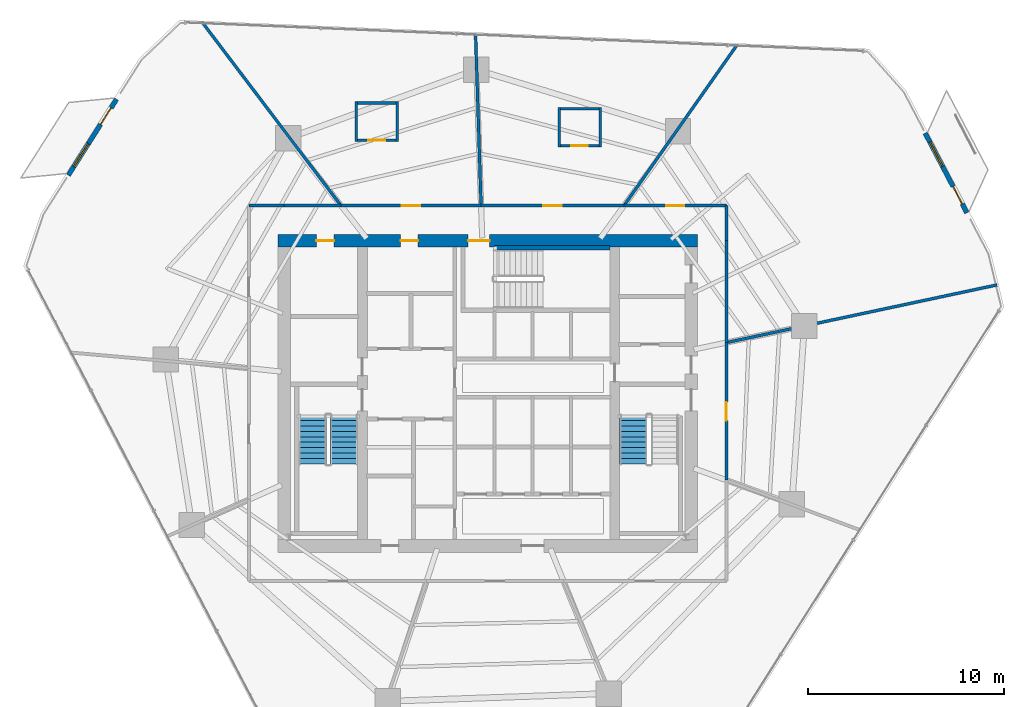
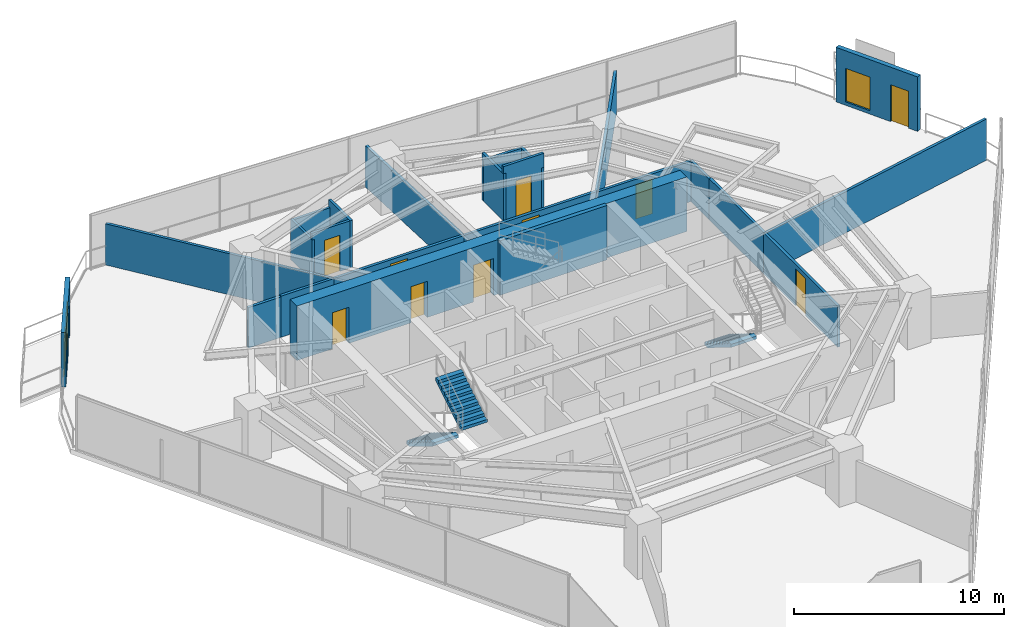
# One storey, part 25 of 30: 24 walls, 11 doors, 3 stair flights, 2 windows, 13 openings, 2 elements without a shape of their own.
"""IFC4 building model written with IfcOpenShell, lengths in metres."""

from ifc_helpers import new_model, si_unit, direction, frame, frame_2d, origin, place, context, subcontext, project, spatial, polyline, rectangle, outline, extrude, material, layer, layer_set, type_object, element, fill, aggregate, save


model = new_model("IFC4")

# Units and contexts
model_context = context("Model", 3, precision=1e-05, world=origin(), true_north=direction((0.0, 1.0)))
body_context = subcontext(model_context, "Body", "Model", "MODEL_VIEW")
ifc_project = project(units=[si_unit("LENGTHUNIT", "METRE"), si_unit("AREAUNIT", "SQUARE_METRE"), si_unit("VOLUMEUNIT", "CUBIC_METRE"), si_unit("PLANEANGLEUNIT", "RADIAN"), si_unit("MASSUNIT", "GRAM", prefix="KILO")], contexts=[model_context])

# Site, building, storey
site_placement = place(None, origin())
site = spatial("IfcSite", under=ifc_project, at=site_placement, CompositionType="ELEMENT")
building_placement = place(site_placement, origin())
building = spatial("IfcBuilding", under=site, at=building_placement, Name="Qarnah Convention Tower", CompositionType="ELEMENT")
storey_placement = place(building_placement, frame((0.0, 0.0, 58.050048828125)))
storey = spatial("IfcBuildingStorey", under=building, at=storey_placement, Name="L14", CompositionType="ELEMENT", Elevation=58.050048828125)

# Wall, openings, doors
ifc_material_1 = material(Name="Concrete C60/75", Category="concrete")
ifc_layer_1 = layer(ifc_material_1, 0.64990234375)
ifc_layer_set_1 = layer_set([ifc_layer_1], Name="Concrete C60/75")
wall_type_1 = type_object("IfcWallType", Name="WL-CORE-650", PredefinedType="SHEAR", material=ifc_layer_set_1)
wall_1_placement = place(storey_placement, frame((26.47509765625, 34.199951171875, 0.0), z_axis=(0.0, 0.0, 1.0), x_axis=(1.0, 0.0, 0.0)))
wall_1 = element("IfcWall", 1, at=wall_1_placement, inside=storey, type_object=wall_type_1, Name="L14 core north shear wall", PredefinedType="SHEAR", context=body_context, shape_type="SweptSolid", body=[
    extrude(rectangle(XDim=21.449951171875, YDim=0.64990234375, at=frame_2d((10.72509765625, 0.0))), origin(), (0.0, 0.0, 1.0), 3.169921875),
])
opening_1_placement = place(wall_1_placement, frame((9.72509765625, 0.0, 0.0)))
opening_1 = element("IfcOpeningElement", 2, at=opening_1_placement, cuts=wall_1, Name="Opening D-1403", PredefinedType="OPENING", context=body_context, shape_type="SweptSolid", body=[
    extrude(rectangle(XDim=1.10009765625, YDim=2.14990234375, at=frame_2d((0.550048828125, 1.074951171875))), frame((0.0, 0.3349609375, 0.0), z_axis=(0.0, -1.0, 0.0), x_axis=(1.0, 0.0, 0.0)), (0.0, 0.0, 1.0), 0.669921875),
])
opening_2_placement = place(wall_1_placement, frame((1.97509765625, 0.0, 0.0)))
opening_2 = element("IfcOpeningElement", 3, at=opening_2_placement, cuts=wall_1, Name="Opening D-1409", PredefinedType="OPENING", context=body_context, shape_type="SweptSolid", body=[
    extrude(rectangle(XDim=0.89990234375, YDim=2.10009765625, at=frame_2d((0.449951171875, 1.050048828125))), frame((0.0, 0.3349609375, 0.0), z_axis=(0.0, -1.0, 0.0), x_axis=(1.0, 0.0, 0.0)), (0.0, 0.0, 1.0), 0.669921875),
])
opening_3_placement = place(wall_1_placement, frame((6.27490234375, 0.0, 0.0)))
opening_3 = element("IfcOpeningElement", 4, at=opening_3_placement, cuts=wall_1, Name="Opening D-1410", PredefinedType="OPENING", context=body_context, shape_type="SweptSolid", body=[
    extrude(rectangle(XDim=0.89990234375, YDim=2.10009765625, at=frame_2d((0.449951171875, 1.050048828125))), frame((0.0, 0.3349609375, 0.0), z_axis=(0.0, -1.0, 0.0), x_axis=(1.0, 0.0, 0.0)), (0.0, 0.0, 1.0), 0.669921875),
])
ifc_material_2 = material(Name="Structural steel S355JR", Category="steel")
door_type_1 = type_object("IfcDoorType", Name="DT-RISER-900", OperationType="NOTDEFINED", PredefinedType="DOOR", material=ifc_material_2)
door_1_placement = place(opening_2_placement, origin())
door_1 = element("IfcDoor", 5, at=door_1_placement, inside=storey, type_object=door_type_1, Name="Door D-1409", OperationType="SINGLE_SWING_LEFT", OverallHeight=2.10009765625, OverallWidth=0.89990234375, PredefinedType="DOOR", context=body_context, shape_type="SweptSolid", body=[
    extrude(rectangle(XDim=0.89990234375, YDim=2.10009765625, at=frame_2d((0.449951171875, 1.050048828125))), frame((0.0, 0.02490234375, 0.0), z_axis=(0.0, -1.0, 0.0), x_axis=(1.0, 0.0, 0.0)), (0.0, 0.0, 1.0), 0.050048828125),
])
fill(opening_2, door_1)
door_2_placement = place(opening_3_placement, origin())
door_2 = element("IfcDoor", 6, at=door_2_placement, inside=storey, type_object=door_type_1, Name="Door D-1410", OperationType="SINGLE_SWING_RIGHT", OverallHeight=2.10009765625, OverallWidth=0.89990234375, PredefinedType="DOOR", context=body_context, shape_type="SweptSolid", body=[
    extrude(rectangle(XDim=0.89990234375, YDim=2.10009765625, at=frame_2d((0.449951171875, 1.050048828125))), frame((0.0, 0.02490234375, 0.0), z_axis=(0.0, -1.0, 0.0), x_axis=(1.0, 0.0, 0.0)), (0.0, 0.0, 1.0), 0.050048828125),
])
fill(opening_3, door_2)
door_type_2 = type_object("IfcDoorType", Name="DT-STAIR-1100", OperationType="NOTDEFINED", PredefinedType="DOOR", material=ifc_material_2)
door_3_placement = place(opening_1_placement, origin())
door_3 = element("IfcDoor", 7, at=door_3_placement, inside=storey, type_object=door_type_2, Name="Door D-1403", OperationType="SINGLE_SWING_LEFT", OverallHeight=2.14990234375, OverallWidth=1.10009765625, PredefinedType="DOOR", context=body_context, shape_type="SweptSolid", body=[
    extrude(rectangle(XDim=1.10009765625, YDim=2.14990234375, at=frame_2d((0.550048828125, 1.074951171875))), frame((0.0, 0.02490234375, 0.0), z_axis=(0.0, -1.0, 0.0), x_axis=(1.0, 0.0, 0.0)), (0.0, 0.0, 1.0), 0.050048828125),
])
fill(opening_1, door_3)

# Wall
ifc_layer_2 = layer(ifc_material_1, 0.219970703125)
ifc_layer_set_2 = layer_set([ifc_layer_2], Name="Concrete C60/75")
wall_type_2 = type_object("IfcWallType", Name="WL-CORE-STAIR-220", PredefinedType="SHEAR", material=ifc_layer_set_2)
wall_2_placement = place(storey_placement, frame((37.550048828125, 33.840087890625, 0.0), z_axis=(0.0, 0.0, 1.0), x_axis=(1.0, 0.0, 0.0)))
element("IfcWall", 8, at=wall_2_placement, inside=storey, type_object=wall_type_2, Name="L14 stair shaft shear wall SW-L14-ST3N", PredefinedType="SHEAR", context=body_context, shape_type="SweptSolid", body=[
    extrude(rectangle(XDim=5.89990234375, YDim=0.219970703125, at=frame_2d((2.949951171875, 0.0))), origin(), (0.0, 0.0, 1.0), 3.169921875),
])

# Wall, openings, door, window
ifc_material_3 = material(Name="Precast concrete C45/55", Category="concrete")
ifc_layer_3 = layer(ifc_material_3, 0.239990234375)
ifc_layer_set_3 = layer_set([ifc_layer_3], Name="Precast concrete C45/55")
wall_type_3 = type_object("IfcWallType", Name="WL-EXT-BAL-240", PredefinedType="SOLIDWALL", material=ifc_layer_set_3)
wall_3_placement = place(storey_placement, frame((59.56396484375, 39.700927734375, 0.0), z_axis=(0.0, 0.0, 1.0), x_axis=(0.463419963279, -0.886138780121, 0.0)))
wall_3 = element("IfcWall", 9, at=wall_3_placement, inside=storey, type_object=wall_type_3, Name="L14 loggia threshold wall BAL-L14-C1", PredefinedType="SOLIDWALL", context=body_context, shape_type="SweptSolid", body=[
    extrude(rectangle(XDim=4.600830078125, YDim=0.239990234375, at=frame_2d((2.30029296875, 0.0))), origin(), (0.0, 0.0, 1.0), 3.169921875),
])
opening_4_placement = place(wall_3_placement, frame((3.0810546875, 0.0, 0.0)))
opening_4 = element("IfcOpeningElement", 10, at=opening_4_placement, cuts=wall_3, Name="Opening BD-1401", PredefinedType="OPENING", context=body_context, shape_type="SweptSolid", body=[
    extrude(rectangle(XDim=1.0, YDim=2.14990234375, at=frame_2d((0.5, 1.074951171875))), frame((0.0, 0.1298828125, 0.0), z_axis=(0.0, -1.0, 0.0), x_axis=(1.0, 0.0, 0.0)), (0.0, 0.0, 1.0), 0.260009765625),
])
opening_5_placement = place(wall_3_placement, frame((0.52001953125, 0.0, 0.199951171875)))
opening_5 = element("IfcOpeningElement", 11, at=opening_5_placement, cuts=wall_3, Name="Opening WN4", PredefinedType="OPENING", context=body_context, shape_type="SweptSolid", body=[
    extrude(rectangle(XDim=1.39990234375, YDim=1.949951171875, at=frame_2d((0.699951171875, 0.97509765625))), frame((0.0, 0.1298828125, 0.0), z_axis=(0.0, -1.0, 0.0), x_axis=(1.0, 0.0, 0.0)), (0.0, 0.0, 1.0), 0.260009765625),
])
ifc_material_4 = material(Name="Black anodised aluminium", Category="aluminium")
door_type_3 = type_object("IfcDoorType", Name="DT-BAL-1000", OperationType="NOTDEFINED", PredefinedType="DOOR", material=ifc_material_4)
door_4_placement = place(opening_4_placement, origin())
door_4 = element("IfcDoor", 12, at=door_4_placement, inside=storey, type_object=door_type_3, Name="L14 balcony terrace door BAL-L14-C1", OperationType="SINGLE_SWING_RIGHT", OverallHeight=2.14990234375, OverallWidth=1.0, PredefinedType="DOOR", context=body_context, shape_type="SweptSolid", body=[
    extrude(rectangle(XDim=1.0, YDim=2.14990234375, at=frame_2d((0.5, 1.074951171875))), frame((0.0, 0.02490234375, 0.0), z_axis=(0.0, -1.0, 0.0), x_axis=(1.0, 0.0, 0.0)), (0.0, 0.0, 1.0), 0.050048828125),
])
fill(opening_4, door_4)
ifc_material_5 = material(Name="Tempered Low-E dark glass", Category="glass")
window_type = type_object("IfcWindowType", Name="WT-BAL-1400X2000", PartitioningType="SINGLE_PANEL", PredefinedType="WINDOW", material=ifc_material_5)
window_1_placement = place(opening_5_placement, origin())
window_1 = element("IfcWindow", 13, at=window_1_placement, inside=storey, type_object=window_type, Name="Window BW-BAL-L14-C1", OverallHeight=1.949951171875, OverallWidth=1.39990234375, PartitioningType="SINGLE_PANEL", PredefinedType="WINDOW", context=body_context, shape_type="SweptSolid", body=[
    extrude(rectangle(XDim=1.39990234375, YDim=1.949951171875, at=frame_2d((0.699951171875, 0.97509765625))), frame((0.0, 0.030029296875, 0.0), z_axis=(0.0, -1.0, 0.0), x_axis=(1.0, 0.0, 0.0)), (0.0, 0.0, 1.0), 0.06005859375),
])
fill(opening_5, window_1)

wall_4_placement = place(storey_placement, frame((15.76708984375, 37.549072265625, 0.0), z_axis=(0.0, 0.0, 1.0), x_axis=(0.535820801743, 0.844331728895, 0.0)))
wall_4 = element("IfcWall", 14, at=wall_4_placement, inside=storey, type_object=wall_type_3, Name="L14 loggia threshold wall BAL-L14-C2", PredefinedType="SOLIDWALL", context=body_context, shape_type="SweptSolid", body=[
    extrude(rectangle(XDim=4.60009765625, YDim=0.239990234375, at=frame_2d((2.300048828125, 0.0))), origin(), (0.0, 0.0, 1.0), 3.169921875),
])
opening_6_placement = place(wall_4_placement, frame((3.080078125, 0.0, 0.0)))
opening_6 = element("IfcOpeningElement", 15, at=opening_6_placement, cuts=wall_4, Name="Opening BD-1402", PredefinedType="OPENING", context=body_context, shape_type="SweptSolid", body=[
    extrude(rectangle(XDim=1.0, YDim=2.14990234375, at=frame_2d((0.5, 1.074951171875))), frame((0.0, 0.1298828125, 0.0), z_axis=(0.0, -1.0, 0.0), x_axis=(1.0, 0.0, 0.0)), (0.0, 0.0, 1.0), 0.260009765625),
])
opening_7_placement = place(wall_4_placement, frame((0.52001953125, 0.0, 0.199951171875)))
opening_7 = element("IfcOpeningElement", 16, at=opening_7_placement, cuts=wall_4, Name="Opening WN4", PredefinedType="OPENING", context=body_context, shape_type="SweptSolid", body=[
    extrude(rectangle(XDim=1.39990234375, YDim=1.949951171875, at=frame_2d((0.699951171875, 0.97509765625))), frame((0.0, 0.1298828125, 0.0), z_axis=(0.0, -1.0, 0.0), x_axis=(1.0, 0.0, 0.0)), (0.0, 0.0, 1.0), 0.260009765625),
])
door_5_placement = place(opening_6_placement, origin())
door_5 = element("IfcDoor", 17, at=door_5_placement, inside=storey, type_object=door_type_3, Name="L14 balcony terrace door BAL-L14-C2", OperationType="SINGLE_SWING_LEFT", OverallHeight=2.14990234375, OverallWidth=1.0, PredefinedType="DOOR", context=body_context, shape_type="SweptSolid", body=[
    extrude(rectangle(XDim=1.0, YDim=2.14990234375, at=frame_2d((0.5, 1.074951171875))), frame((0.0, 0.02490234375, 0.0), z_axis=(0.0, -1.0, 0.0), x_axis=(1.0, 0.0, 0.0)), (0.0, 0.0, 1.0), 0.050048828125),
])
fill(opening_6, door_5)
window_2_placement = place(opening_7_placement, origin())
window_2 = element("IfcWindow", 18, at=window_2_placement, inside=storey, type_object=window_type, Name="Window BW-BAL-L14-C2", OverallHeight=1.949951171875, OverallWidth=1.39990234375, PartitioningType="SINGLE_PANEL", PredefinedType="WINDOW", context=body_context, shape_type="SweptSolid", body=[
    extrude(rectangle(XDim=1.39990234375, YDim=1.949951171875, at=frame_2d((0.699951171875, 0.97509765625))), frame((0.0, 0.030029296875, 0.0), z_axis=(0.0, -1.0, 0.0), x_axis=(1.0, 0.0, 0.0)), (0.0, 0.0, 1.0), 0.06005859375),
])
fill(opening_7, window_2)

# Wall
ifc_material_6 = material(Name="Gypsum partition board")
ifc_layer_4 = layer(ifc_material_6, 0.14990234375)
ifc_layer_set_4 = layer_set([ifc_layer_4], Name="Gypsum partition board")
wall_type_4 = type_object("IfcWallType", Name="WL-SUITE-150", PredefinedType="PARTITIONING", material=ifc_layer_set_4)
wall_5_placement = place(storey_placement, frame((49.95703125, 44.220947265625, 0.0), z_axis=(0.0, 0.0, 1.0), x_axis=(-0.575285197534, -0.81795289687, 0.0)))
element("IfcWall", 19, at=wall_5_placement, inside=storey, type_object=wall_type_4, Name="L14 interior wall IW-L14-R-09", PredefinedType="PARTITIONING", context=body_context, shape_type="SweptSolid", body=[
    extrude(rectangle(XDim=10.050537109375, YDim=0.14990234375, at=frame_2d((5.025390625, 0.0))), origin(), (0.0, 0.0, 1.0), 2.39501953125),
])

# Wall, opening, door
wall_6_placement = place(storey_placement, frame((44.175048828125, 36.0, 0.0), z_axis=(0.0, 0.0, 1.0), x_axis=(1.0, 0.0, 0.0)))
wall_6 = element("IfcWall", 20, at=wall_6_placement, inside=storey, type_object=wall_type_4, Name="L14 interior wall IW-L14-R-10", PredefinedType="PARTITIONING", context=body_context, shape_type="SweptSolid", body=[
    extrude(rectangle(XDim=5.224853515625, YDim=0.14990234375, at=frame_2d((2.6123046875, 0.0))), origin(), (0.0, 0.0, 1.0), 2.35498046875),
])
opening_8_placement = place(wall_6_placement, frame((2.1630859375, 0.0, 0.0)))
opening_8 = element("IfcOpeningElement", 21, at=opening_8_placement, cuts=wall_6, Name="Opening D-1416", PredefinedType="OPENING", context=body_context, shape_type="SweptSolid", body=[
    extrude(rectangle(XDim=0.89990234375, YDim=2.0, at=frame_2d((0.449951171875, 1.0))), frame((0.0, 0.0849609375, 0.0), z_axis=(0.0, -1.0, 0.0), x_axis=(1.0, 0.0, 0.0)), (0.0, 0.0, 1.0), 0.169921875),
])
door_type_4 = type_object("IfcDoorType", Name="DT-PLANT-900", OperationType="NOTDEFINED", PredefinedType="DOOR", material=ifc_material_2)
door_6_placement = place(opening_8_placement, origin())
door_6 = element("IfcDoor", 22, at=door_6_placement, inside=storey, type_object=door_type_4, Name="Door D-1416", OperationType="SINGLE_SWING_RIGHT", OverallHeight=2.0, OverallWidth=0.89990234375, PredefinedType="DOOR", context=body_context, shape_type="SweptSolid", body=[
    extrude(rectangle(XDim=0.89990234375, YDim=2.0, at=frame_2d((0.449951171875, 1.0))), frame((0.0, 0.02490234375, 0.0), z_axis=(0.0, -1.0, 0.0), x_axis=(1.0, 0.0, 0.0)), (0.0, 0.0, 1.0), 0.050048828125),
])
fill(opening_8, door_6)

# Walls
wall_7_placement = place(storey_placement, frame((49.39990234375, 36.0, 0.0), z_axis=(0.0, 0.0, 1.0), x_axis=(0.0, -1.0, 0.0)))
element("IfcWall", 23, at=wall_7_placement, inside=storey, type_object=wall_type_4, Name="L14 interior wall IW-L14-R-11", PredefinedType="PARTITIONING", context=body_context, shape_type="SweptSolid", body=[
    extrude(rectangle(XDim=1.800048828125, YDim=0.14990234375, at=frame_2d((0.89990234375, 0.0))), origin(), (0.0, 0.0, 1.0), 2.35498046875),
])
wall_8_placement = place(storey_placement, frame((49.39990234375, 34.199951171875, 0.0), z_axis=(0.0, 0.0, 1.0), x_axis=(0.0, -1.0, 0.0)))
element("IfcWall", 24, at=wall_8_placement, inside=storey, type_object=wall_type_4, Name="L14 interior wall IW-L14-R-12", PredefinedType="PARTITIONING", context=body_context, shape_type="SweptSolid", body=[
    extrude(rectangle(XDim=5.20703125, YDim=0.14990234375, at=frame_2d((2.603515625, 0.0))), origin(), (0.0, 0.0, 1.0), 2.39501953125),
])
wall_9_placement = place(storey_placement, frame((49.39990234375, 28.992919921875, 0.0), z_axis=(0.0, 0.0, 1.0), x_axis=(0.978035397835, 0.208438865333, 0.0)))
element("IfcWall", 25, at=wall_9_placement, inside=storey, type_object=wall_type_4, Name="L14 interior wall IW-L14-R-13", PredefinedType="PARTITIONING", context=body_context, shape_type="SweptSolid", body=[
    extrude(rectangle(XDim=14.14794921875, YDim=0.14990234375, at=frame_2d((7.073974609375, 0.0))), origin(), (0.0, 0.0, 1.0), 2.39501953125),
])
wall_10_placement = place(storey_placement, frame((36.580078125, 44.76904296875, 0.0), z_axis=(0.0, 0.0, 1.0), x_axis=(0.032473537476, -0.999472595604, 0.0)))
element("IfcWall", 26, at=wall_10_placement, inside=storey, type_object=wall_type_4, Name="L14 interior wall IW-L14-R-14", PredefinedType="PARTITIONING", context=body_context, shape_type="SweptSolid", body=[
    extrude(rectangle(XDim=8.773681640625, YDim=0.14990234375, at=frame_2d((4.38671875, 0.0))), origin(), (0.0, 0.0, 1.0), 2.39501953125),
])

# Wall, opening, door
wall_11_placement = place(storey_placement, frame((36.864990234375, 36.0, 0.0), z_axis=(0.0, 0.0, 1.0), x_axis=(1.0, 0.0, 0.0)))
wall_11 = element("IfcWall", 27, at=wall_11_placement, inside=storey, type_object=wall_type_4, Name="L14 interior wall IW-L14-R-15", PredefinedType="PARTITIONING", context=body_context, shape_type="SweptSolid", body=[
    extrude(rectangle(XDim=7.31005859375, YDim=0.14990234375, at=frame_2d((3.655029296875, 0.0))), origin(), (0.0, 0.0, 1.0), 2.39501953125),
])
opening_9_placement = place(wall_11_placement, frame((3.179931640625, 0.0, 0.0)))
opening_9 = element("IfcOpeningElement", 28, at=opening_9_placement, cuts=wall_11, Name="Opening D-1417", PredefinedType="OPENING", context=body_context, shape_type="SweptSolid", body=[
    extrude(rectangle(XDim=0.949951171875, YDim=2.14990234375, at=frame_2d((0.47509765625, 1.074951171875))), frame((0.0, 0.0849609375, 0.0), z_axis=(0.0, -1.0, 0.0), x_axis=(1.0, 0.0, 0.0)), (0.0, 0.0, 1.0), 0.169921875),
])
ifc_material_7 = material(Name="Oak timber veneer", Category="wood")
door_type_5 = type_object("IfcDoorType", Name="DT-HOTEL-950", OperationType="NOTDEFINED", PredefinedType="DOOR", material=ifc_material_7)
door_7_placement = place(opening_9_placement, origin())
door_7 = element("IfcDoor", 29, at=door_7_placement, inside=storey, type_object=door_type_5, Name="Door D-1417", OperationType="SINGLE_SWING_LEFT", OverallHeight=2.14990234375, OverallWidth=0.949951171875, PredefinedType="DOOR", context=body_context, shape_type="SweptSolid", body=[
    extrude(rectangle(XDim=0.949951171875, YDim=2.14990234375, at=frame_2d((0.47509765625, 1.074951171875))), frame((0.0, 0.02490234375, 0.0), z_axis=(0.0, -1.0, 0.0), x_axis=(1.0, 0.0, 0.0)), (0.0, 0.0, 1.0), 0.050048828125),
])
fill(opening_9, door_7)

# Wall
wall_12_placement = place(storey_placement, frame((22.60498046875, 45.373046875, 0.0), z_axis=(0.0, 0.0, 1.0), x_axis=(0.60354295634, -0.797330483459, 0.0)))
element("IfcWall", 30, at=wall_12_placement, inside=storey, type_object=wall_type_4, Name="L14 interior wall IW-L14-R-16", PredefinedType="PARTITIONING", context=body_context, shape_type="SweptSolid", body=[
    extrude(rectangle(XDim=11.755615234375, YDim=0.14990234375, at=frame_2d((5.8779296875, 0.0))), origin(), (0.0, 0.0, 1.0), 2.39501953125),
])

# Wall, opening, door
wall_13_placement = place(storey_placement, frame((29.699951171875, 36.0, 0.0), z_axis=(0.0, 0.0, 1.0), x_axis=(1.0, 0.0, 0.0)))
wall_13 = element("IfcWall", 31, at=wall_13_placement, inside=storey, type_object=wall_type_4, Name="L14 interior wall IW-L14-R-17", PredefinedType="PARTITIONING", context=body_context, shape_type="SweptSolid", body=[
    extrude(rectangle(XDim=7.1650390625, YDim=0.14990234375, at=frame_2d((3.58251953125, 0.0))), origin(), (0.0, 0.0, 1.0), 2.39501953125),
])
opening_10_placement = place(wall_13_placement, frame((3.10791015625, 0.0, 0.0)))
opening_10 = element("IfcOpeningElement", 32, at=opening_10_placement, cuts=wall_13, Name="Opening D-1419", PredefinedType="OPENING", context=body_context, shape_type="SweptSolid", body=[
    extrude(rectangle(XDim=0.949951171875, YDim=2.14990234375, at=frame_2d((0.47509765625, 1.074951171875))), frame((0.0, 0.0849609375, 0.0), z_axis=(0.0, -1.0, 0.0), x_axis=(1.0, 0.0, 0.0)), (0.0, 0.0, 1.0), 0.169921875),
])
door_8_placement = place(opening_10_placement, origin())
door_8 = element("IfcDoor", 33, at=door_8_placement, inside=storey, type_object=door_type_5, Name="Door D-1419", OperationType="SINGLE_SWING_LEFT", OverallHeight=2.14990234375, OverallWidth=0.949951171875, PredefinedType="DOOR", context=body_context, shape_type="SweptSolid", body=[
    extrude(rectangle(XDim=0.949951171875, YDim=2.14990234375, at=frame_2d((0.47509765625, 1.074951171875))), frame((0.0, 0.02490234375, 0.0), z_axis=(0.0, -1.0, 0.0), x_axis=(1.0, 0.0, 0.0)), (0.0, 0.0, 1.0), 0.050048828125),
])
fill(opening_10, door_8)

# Walls
wall_14_placement = place(storey_placement, frame((25.0, 36.0, 0.0), z_axis=(0.0, 0.0, 1.0), x_axis=(1.0, 0.0, 0.0)))
element("IfcWall", 34, at=wall_14_placement, inside=storey, type_object=wall_type_4, Name="L14 interior wall IW-L14-R-20", PredefinedType="PARTITIONING", context=body_context, shape_type="SweptSolid", body=[
    extrude(rectangle(XDim=1.800048828125, YDim=0.14990234375, at=frame_2d((0.89990234375, 0.0))), origin(), (0.0, 0.0, 1.0), 2.35498046875),
])
wall_15_placement = place(storey_placement, frame((26.800048828125, 36.0, 0.0), z_axis=(0.0, 0.0, 1.0), x_axis=(1.0, 0.0, 0.0)))
element("IfcWall", 35, at=wall_15_placement, inside=storey, type_object=wall_type_4, Name="L14 interior wall IW-L14-R-21", PredefinedType="PARTITIONING", context=body_context, shape_type="SweptSolid", body=[
    extrude(rectangle(XDim=2.89990234375, YDim=0.14990234375, at=frame_2d((1.449951171875, 0.0))), origin(), (0.0, 0.0, 1.0), 2.39501953125),
])

# Wall, opening, door
wall_16_placement = place(storey_placement, frame((49.39990234375, 28.992919921875, 0.0), z_axis=(0.0, 0.0, 1.0), x_axis=(0.0, -1.0, 0.0)))
wall_16 = element("IfcWall", 36, at=wall_16_placement, inside=storey, type_object=wall_type_4, Name="L14 interior wall IW-L14-R-34", PredefinedType="PARTITIONING", context=body_context, shape_type="SweptSolid", body=[
    extrude(rectangle(XDim=7.032958984375, YDim=0.14990234375, at=frame_2d((3.5166015625, 0.0))), origin(), (0.0, 0.0, 1.0), 2.39501953125),
])
opening_11_placement = place(wall_16_placement, frame((3.041015625, 0.0, 0.0)))
opening_11 = element("IfcOpeningElement", 37, at=opening_11_placement, cuts=wall_16, Name="Opening D-1426", PredefinedType="OPENING", context=body_context, shape_type="SweptSolid", body=[
    extrude(rectangle(XDim=0.949951171875, YDim=2.14990234375, at=frame_2d((0.47509765625, 1.074951171875))), frame((0.0, 0.0849609375, 0.0), z_axis=(0.0, -1.0, 0.0), x_axis=(1.0, 0.0, 0.0)), (0.0, 0.0, 1.0), 0.169921875),
])
door_9_placement = place(opening_11_placement, origin())
door_9 = element("IfcDoor", 38, at=door_9_placement, inside=storey, type_object=door_type_5, Name="Door D-1426", OperationType="SINGLE_SWING_RIGHT", OverallHeight=2.14990234375, OverallWidth=0.949951171875, PredefinedType="DOOR", context=body_context, shape_type="SweptSolid", body=[
    extrude(rectangle(XDim=0.949951171875, YDim=2.14990234375, at=frame_2d((0.47509765625, 1.074951171875))), frame((0.0, 0.02490234375, 0.0), z_axis=(0.0, -1.0, 0.0), x_axis=(1.0, 0.0, 0.0)), (0.0, 0.0, 1.0), 0.050048828125),
])
fill(opening_11, door_9)

ifc_layer_5 = layer(ifc_material_6, 0.139892578125)
ifc_layer_set_5 = layer_set([ifc_layer_5], Name="Gypsum partition board")
wall_type_5 = type_object("IfcWallType", Name="WL-WET-140", PredefinedType="PARTITIONING", material=ifc_layer_set_5)
wall_17_placement = place(storey_placement, frame((40.783935546875, 39.052978515625, 0.0), z_axis=(0.0, 0.0, 1.0), x_axis=(1.0, 0.0, 0.0)))
wall_17 = element("IfcWall", 39, at=wall_17_placement, inside=storey, type_object=wall_type_5, Name="L14 interior wall IW-L14-ENS01-1", PredefinedType="PARTITIONING", context=body_context, shape_type="SweptSolid", body=[
    extrude(rectangle(XDim=2.239990234375, YDim=0.139892578125, at=frame_2d((1.1201171875, 0.0))), origin(), (0.0, 0.0, 1.0), 3.169921875),
])
opening_12_placement = place(wall_17_placement, frame((0.695068359375, 0.0, 0.0)))
opening_12 = element("IfcOpeningElement", 40, at=opening_12_placement, cuts=wall_17, Name="Opening D-1418", PredefinedType="OPENING", context=body_context, shape_type="SweptSolid", body=[
    extrude(rectangle(XDim=0.85009765625, YDim=2.10009765625, at=frame_2d((0.425048828125, 1.050048828125))), frame((0.0, 0.079833984375, 0.0), z_axis=(0.0, -1.0, 0.0), x_axis=(1.0, 0.0, 0.0)), (0.0, 0.0, 1.0), 0.159912109375),
])
door_type_6 = type_object("IfcDoorType", Name="DT-BATH-850", OperationType="NOTDEFINED", PredefinedType="DOOR", material=ifc_material_7)
door_10_placement = place(opening_12_placement, origin())
door_10 = element("IfcDoor", 41, at=door_10_placement, inside=storey, type_object=door_type_6, Name="Door D-1418", OperationType="SINGLE_SWING_RIGHT", OverallHeight=2.10009765625, OverallWidth=0.85009765625, PredefinedType="DOOR", context=body_context, shape_type="SweptSolid", body=[
    extrude(rectangle(XDim=0.85009765625, YDim=2.10009765625, at=frame_2d((0.425048828125, 1.050048828125))), frame((0.0, 0.02490234375, 0.0), z_axis=(0.0, -1.0, 0.0), x_axis=(1.0, 0.0, 0.0)), (0.0, 0.0, 1.0), 0.050048828125),
])
fill(opening_12, door_10)

# Walls
wall_18_placement = place(storey_placement, frame((42.9541015625, 38.98291015625, 0.0), z_axis=(0.0, 0.0, 1.0), x_axis=(0.0, 1.0, 0.0)))
element("IfcWall", 42, at=wall_18_placement, inside=storey, type_object=wall_type_5, Name="L14 interior wall IW-L14-ENS01-2", PredefinedType="PARTITIONING", context=body_context, shape_type="SweptSolid", body=[
    extrude(rectangle(XDim=2.0400390625, YDim=0.139892578125, at=frame_2d((1.02001953125, 0.0))), origin(), (0.0, 0.0, 1.0), 2.35498046875),
])
wall_19_placement = place(storey_placement, frame((43.02392578125, 40.952880859375, 0.0), z_axis=(0.0, 0.0, 1.0), x_axis=(-1.0, 0.0, 0.0)))
element("IfcWall", 43, at=wall_19_placement, inside=storey, type_object=wall_type_5, Name="L14 interior wall IW-L14-ENS01-3", PredefinedType="PARTITIONING", context=body_context, shape_type="SweptSolid", body=[
    extrude(rectangle(XDim=2.239990234375, YDim=0.139892578125, at=frame_2d((1.1201171875, 0.0))), origin(), (0.0, 0.0, 1.0), 2.35498046875),
])
wall_20_placement = place(storey_placement, frame((40.85400390625, 41.02294921875, 0.0), z_axis=(0.0, 0.0, 1.0), x_axis=(0.0, -1.0, 0.0)))
element("IfcWall", 44, at=wall_20_placement, inside=storey, type_object=wall_type_5, Name="L14 interior wall IW-L14-ENS01-4", PredefinedType="PARTITIONING", context=body_context, shape_type="SweptSolid", body=[
    extrude(rectangle(XDim=2.0400390625, YDim=0.139892578125, at=frame_2d((1.02001953125, 0.0))), origin(), (0.0, 0.0, 1.0), 2.7470703125),
])

# Wall, opening, door
wall_21_placement = place(storey_placement, frame((30.4140625, 39.3349609375, 0.0), z_axis=(0.0, 0.0, 1.0), x_axis=(1.0, 0.0, 0.0)))
wall_21 = element("IfcWall", 45, at=wall_21_placement, inside=storey, type_object=wall_type_5, Name="L14 interior wall IW-L14-ENS02-1", PredefinedType="PARTITIONING", context=body_context, shape_type="SweptSolid", body=[
    extrude(rectangle(XDim=2.239990234375, YDim=0.139892578125, at=frame_2d((1.1201171875, 0.0))), origin(), (0.0, 0.0, 1.0), 2.7470703125),
])
opening_13_placement = place(wall_21_placement, frame((0.695068359375, 0.0, 0.0)))
opening_13 = element("IfcOpeningElement", 46, at=opening_13_placement, cuts=wall_21, Name="Opening D-1420", PredefinedType="OPENING", context=body_context, shape_type="SweptSolid", body=[
    extrude(rectangle(XDim=0.85009765625, YDim=2.10009765625, at=frame_2d((0.425048828125, 1.050048828125))), frame((0.0, 0.079833984375, 0.0), z_axis=(0.0, -1.0, 0.0), x_axis=(1.0, 0.0, 0.0)), (0.0, 0.0, 1.0), 0.159912109375),
])
door_11_placement = place(opening_13_placement, origin())
door_11 = element("IfcDoor", 47, at=door_11_placement, inside=storey, type_object=door_type_6, Name="Door D-1420", OperationType="SINGLE_SWING_RIGHT", OverallHeight=2.10009765625, OverallWidth=0.85009765625, PredefinedType="DOOR", context=body_context, shape_type="SweptSolid", body=[
    extrude(rectangle(XDim=0.85009765625, YDim=2.10009765625, at=frame_2d((0.425048828125, 1.050048828125))), frame((0.0, 0.02490234375, 0.0), z_axis=(0.0, -1.0, 0.0), x_axis=(1.0, 0.0, 0.0)), (0.0, 0.0, 1.0), 0.050048828125),
])
fill(opening_13, door_11)

# Walls
wall_22_placement = place(storey_placement, frame((32.583984375, 39.264892578125, 0.0), z_axis=(0.0, 0.0, 1.0), x_axis=(0.0, 1.0, 0.0)))
element("IfcWall", 48, at=wall_22_placement, inside=storey, type_object=wall_type_5, Name="L14 interior wall IW-L14-ENS02-2", PredefinedType="PARTITIONING", context=body_context, shape_type="SweptSolid", body=[
    extrude(rectangle(XDim=2.0400390625, YDim=0.139892578125, at=frame_2d((1.02001953125, 0.0))), origin(), (0.0, 0.0, 1.0), 2.7470703125),
])
wall_23_placement = place(storey_placement, frame((32.654052734375, 41.235107421875, 0.0), z_axis=(0.0, 0.0, 1.0), x_axis=(-1.0, 0.0, 0.0)))
element("IfcWall", 49, at=wall_23_placement, inside=storey, type_object=wall_type_5, Name="L14 interior wall IW-L14-ENS02-3", PredefinedType="PARTITIONING", context=body_context, shape_type="SweptSolid", body=[
    extrude(rectangle(XDim=2.239990234375, YDim=0.139892578125, at=frame_2d((1.1201171875, 0.0))), origin(), (0.0, 0.0, 1.0), 2.35498046875),
])
wall_24_placement = place(storey_placement, frame((30.48388671875, 41.304931640625, 0.0), z_axis=(0.0, 0.0, 1.0), x_axis=(0.0, -1.0, 0.0)))
element("IfcWall", 50, at=wall_24_placement, inside=storey, type_object=wall_type_5, Name="L14 interior wall IW-L14-ENS02-4", PredefinedType="PARTITIONING", context=body_context, shape_type="SweptSolid", body=[
    extrude(rectangle(XDim=2.0400390625, YDim=0.139892578125, at=frame_2d((1.02001953125, 0.0))), origin(), (0.0, 0.0, 1.0), 2.35498046875),
])

# Stair, stair flights
ifc_material_8 = material(Name="Concrete C50/60", Category="concrete")
stair_type = type_object("IfcStairType", Name="STR-HTL", PredefinedType="HALF_TURN_STAIR", material=ifc_material_8)
stair_1_placement = place(storey_placement, origin())
stair_1 = element("IfcStair", 51, at=stair_1_placement, inside=storey, type_object=stair_type, Name="L14 Core exit stair ST-1", PredefinedType="HALF_TURN_STAIR")
stair_flight_type = type_object("IfcStairFlightType", Name="FLT-HTL", PredefinedType="STRAIGHT", material=ifc_material_8)
stair_flight_1_placement = place(storey_placement, frame((28.25, 25.300048828125, 0.0), z_axis=(0.0, 0.0, 1.0), x_axis=(0.0, -1.0, 0.0)))
stair_flight_1 = element("IfcStairFlight", 52, at=stair_flight_1_placement, type_object=stair_flight_type, Name="ST-1 flight 1", NumberOfRisers=10, NumberOfTreads=9, PredefinedType="STRAIGHT", RiserHeight=0.1725, TreadLength=0.28, context=body_context, shape_type="SweptSolid", body=[
    extrude(outline(polyline([(0.0, 0.0), (0.0, 0.172607421875), (0.280029296875, 0.172607421875), (0.280029296875, 0.344970703125), (0.56005859375, 0.344970703125), (0.56005859375, 0.517578125), (0.840087890625, 0.517578125), (0.840087890625, 0.68994140625), (1.1201171875, 0.68994140625), (1.1201171875, 0.862548828125), (1.39990234375, 0.862548828125), (1.39990234375, 1.034912109375), (1.679931640625, 1.034912109375), (1.679931640625, 1.20751953125), (1.9599609375, 1.20751953125), (1.9599609375, 1.3798828125), (2.239990234375, 1.3798828125), (2.239990234375, 1.552490234375), (2.52001953125, 1.552490234375), (2.52001953125, 1.72509765625), (2.52001953125, 1.37646484375), (0.285888671875, 0.0), (0.0, 0.0)])), frame((0.0, 0.699951171875, 0.0), z_axis=(0.0, -1.0, 0.0), x_axis=(1.0, 0.0, 0.0)), (0.0, 0.0, 1.0), 1.39990234375),
])
stair_flight_2_placement = place(storey_placement, frame((29.85009765625, 22.780029296875, 1.724853515625), z_axis=(0.0, 0.0, 1.0), x_axis=(0.0, 1.0, 0.0)))
stair_flight_2 = element("IfcStairFlight", 53, at=stair_flight_2_placement, type_object=stair_flight_type, Name="ST-1 flight 2", NumberOfRisers=10, NumberOfTreads=9, PredefinedType="STRAIGHT", RiserHeight=0.1725, TreadLength=0.28, context=body_context, shape_type="SweptSolid", body=[
    extrude(outline(polyline([(0.0, 0.0), (0.0, 0.172607421875), (0.280029296875, 0.172607421875), (0.280029296875, 0.344970703125), (0.56005859375, 0.344970703125), (0.56005859375, 0.517578125), (0.840087890625, 0.517578125), (0.840087890625, 0.68994140625), (1.1201171875, 0.68994140625), (1.1201171875, 0.862548828125), (1.39990234375, 0.862548828125), (1.39990234375, 1.034912109375), (1.679931640625, 1.034912109375), (1.679931640625, 1.20751953125), (1.9599609375, 1.20751953125), (1.9599609375, 1.3798828125), (2.239990234375, 1.3798828125), (2.239990234375, 1.552490234375), (2.52001953125, 1.552490234375), (2.52001953125, 1.72509765625), (2.52001953125, 1.37646484375), (0.285888671875, 0.0), (0.0, 0.0)])), frame((0.0, 0.699951171875, 0.0), z_axis=(0.0, -1.0, 0.0), x_axis=(1.0, 0.0, 0.0)), (0.0, 0.0, 1.0), 1.39990234375),
])
aggregate(stair_1, [stair_flight_1, stair_flight_2])

# Stair, stair flight
stair_2_placement = place(storey_placement, origin())
stair_2 = element("IfcStair", 54, at=stair_2_placement, inside=storey, type_object=stair_type, Name="L14 Core exit stair ST-2", PredefinedType="HALF_TURN_STAIR")
stair_flight_3_placement = place(storey_placement, frame((44.64990234375, 25.300048828125, 0.0), z_axis=(0.0, 0.0, 1.0), x_axis=(0.0, -1.0, 0.0)))
stair_flight_3 = element("IfcStairFlight", 55, at=stair_flight_3_placement, type_object=stair_flight_type, Name="ST-2 flight 1", NumberOfRisers=10, NumberOfTreads=9, PredefinedType="STRAIGHT", RiserHeight=0.1725, TreadLength=0.28, context=body_context, shape_type="SweptSolid", body=[
    extrude(outline(polyline([(0.0, 0.0), (0.0, 0.172607421875), (0.280029296875, 0.172607421875), (0.280029296875, 0.344970703125), (0.56005859375, 0.344970703125), (0.56005859375, 0.517578125), (0.840087890625, 0.517578125), (0.840087890625, 0.68994140625), (1.1201171875, 0.68994140625), (1.1201171875, 0.862548828125), (1.39990234375, 0.862548828125), (1.39990234375, 1.034912109375), (1.679931640625, 1.034912109375), (1.679931640625, 1.20751953125), (1.9599609375, 1.20751953125), (1.9599609375, 1.3798828125), (2.239990234375, 1.3798828125), (2.239990234375, 1.552490234375), (2.52001953125, 1.552490234375), (2.52001953125, 1.72509765625), (2.52001953125, 1.37646484375), (0.285888671875, 0.0), (0.0, 0.0)])), frame((0.0, 0.699951171875, 0.0), z_axis=(0.0, -1.0, 0.0), x_axis=(1.0, 0.0, 0.0)), (0.0, 0.0, 1.0), 1.39990234375),
])
aggregate(stair_2, [stair_flight_3])

save(model, "model.ifc")
